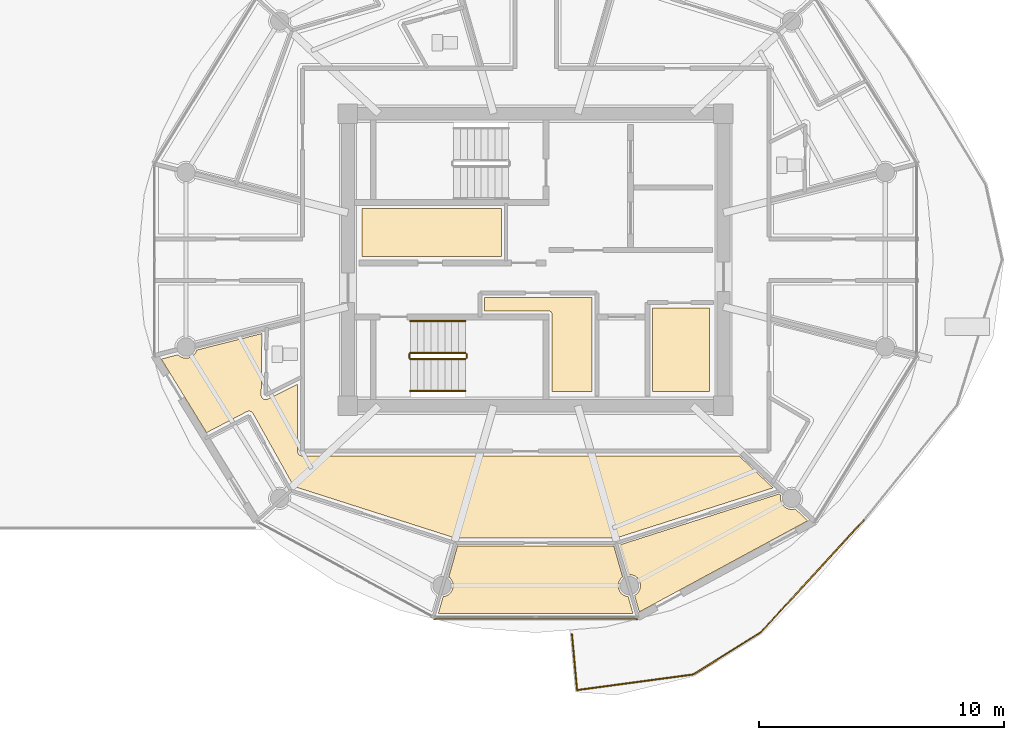
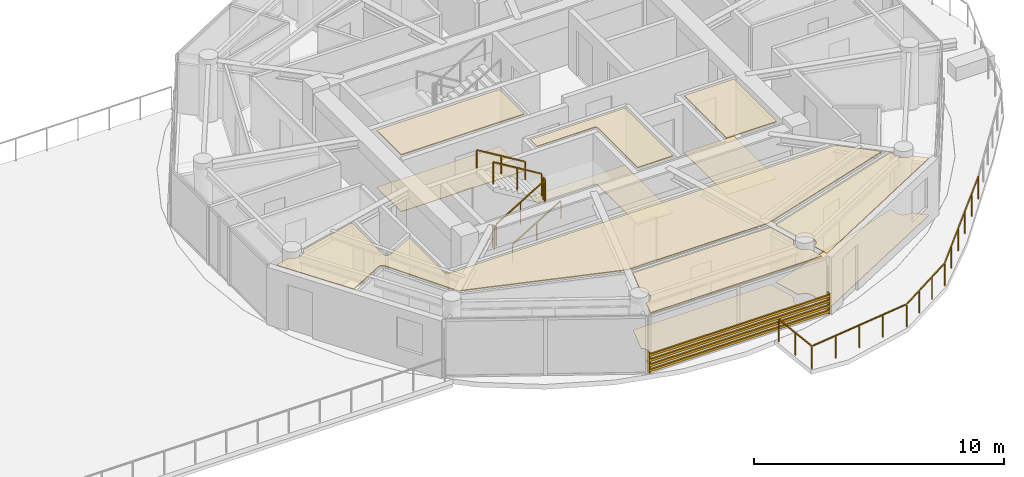
# One storey, part 25 of 30: 11 coverings, 7 railings, 1 shading device.
"""IFC4 building model written with IfcOpenShell, lengths in metres."""

from ifc_helpers import new_model, si_unit, direction, frame, origin, origin_2d, place, context, subcontext, project, spatial, polyline, rectangle, outline, extrude, source, transform, mapped, material, layer, layer_set, type_object, type_shapes, element, save


model = new_model("IFC4")

# Units and contexts
model_context = context("Model", 3, precision=1e-05, world=origin(), true_north=direction((0.0, 1.0)))
body_context = subcontext(model_context, "Body", "Model", "MODEL_VIEW")
ifc_project = project(units=[si_unit("LENGTHUNIT", "METRE"), si_unit("AREAUNIT", "SQUARE_METRE"), si_unit("VOLUMEUNIT", "CUBIC_METRE"), si_unit("PLANEANGLEUNIT", "RADIAN"), si_unit("MASSUNIT", "GRAM", prefix="KILO")], contexts=[model_context])

# Site, building, storey
site_placement = place(None, origin())
site = spatial("IfcSite", under=ifc_project, at=site_placement, CompositionType="ELEMENT")
building_placement = place(site_placement, origin())
building = spatial("IfcBuilding", under=site, at=building_placement, Name="Norrkilde Senior Care Towers", CompositionType="ELEMENT")
storey_placement = place(building_placement, frame((0.0, 0.0, 232.199951171875)))
storey = spatial("IfcBuildingStorey", under=building, at=storey_placement, Name="L72", CompositionType="ELEMENT", Elevation=232.199951171875)

# Coverings
ifc_material_1 = material(Name="Nordic Ash Timber", Category="wood")
ifc_layer_1 = layer(ifc_material_1, 0.044921875)
ifc_layer_set_1 = layer_set([ifc_layer_1], Name="Nordic Ash Timber")
covering_type_1 = type_object("IfcCoveringType", Name="Acoustic Ash Timber Slatted Ceiling 45", PredefinedType="CEILING", material=ifc_layer_set_1)
covering_1_placement = place(storey_placement, frame((0.0, 0.0, 2.76513671875)))
element("IfcCovering", 1, at=covering_1_placement, inside=storey, type_object=covering_type_1, Name="L72 Suspended Ceiling 0443", PredefinedType="CEILING", context=body_context, shape_type="SweptSolid", body=[
    extrude(outline(polyline([(20.919921875, 0.1201171875), (20.919921875, 2.090087890625), (26.60009765625, 2.090087890625), (26.60009765625, 0.1201171875), (20.919921875, 0.1201171875)])), origin(), (0.0, 0.0, 1.0), 0.044921875),
])
covering_2_placement = place(storey_placement, frame((0.0, 0.0, 2.76513671875)))
element("IfcCovering", 2, at=covering_2_placement, inside=storey, type_object=covering_type_1, Name="L72 Suspended Ceiling 0444", PredefinedType="CEILING", context=body_context, shape_type="SweptSolid", body=[
    extrude(outline(polyline([(28.65478515625, -2.175048828125), (28.65087890625, -2.1640625), (28.645751953125, -2.1533203125), (28.639892578125, -2.143310546875), (28.6328125, -2.1337890625), (28.624755859375, -2.125244140625), (28.6162109375, -2.1171875), (28.606689453125, -2.110107421875), (28.5966796875, -2.104248046875), (28.5859375, -2.09912109375), (28.574951171875, -2.09521484375), (28.5634765625, -2.09228515625), (28.5517578125, -2.090576171875), (28.5400390625, -2.090087890625), (25.919921875, -2.090087890625), (25.919921875, -1.5400390625), (30.2900390625, -1.5400390625), (30.2900390625, -5.3798828125), (28.659912109375, -5.3798828125), (28.659912109375, -2.2099609375), (28.659423828125, -2.1982421875), (28.65771484375, -2.1865234375), (28.65478515625, -2.175048828125)])), origin(), (0.0, 0.0, 1.0), 0.044921875),
])
covering_3_placement = place(storey_placement, frame((0.0, 0.0, 2.76513671875)))
element("IfcCovering", 3, at=covering_3_placement, inside=storey, type_object=covering_type_1, Name="L72 Suspended Ceiling 0445", PredefinedType="CEILING", context=body_context, shape_type="SweptSolid", body=[
    extrude(outline(polyline([(32.77001953125, -5.3798828125), (32.77001953125, -1.969970703125), (35.080078125, -1.969970703125), (35.080078125, -5.3798828125), (32.77001953125, -5.3798828125)])), origin(), (0.0, 0.0, 1.0), 0.044921875),
])
covering_4_placement = place(storey_placement, frame((0.0, 0.0, 2.76513671875)))
element("IfcCovering", 4, at=covering_4_placement, inside=storey, type_object=covering_type_1, Name="L72 Suspended Ceiling 0458", PredefinedType="CEILING", context=body_context, shape_type="SweptSolid", body=[
    extrude(outline(polyline([(16.817626953125, -5.54150390625), (16.819580078125, -5.552978515625), (16.8212890625, -5.5595703125), (16.824462890625, -5.57080078125), (16.82666015625, -5.577392578125), (16.8310546875, -5.588134765625), (16.833740234375, -5.594482421875), (16.839111328125, -5.604736328125), (16.842529296875, -5.610595703125), (16.848876953125, -5.62060546875), (16.85302734375, -5.6259765625), (16.860107421875, -5.63525390625), (16.86474609375, -5.640380859375), (16.872802734375, -5.648681640625), (16.877685546875, -5.653564453125), (16.88671875, -5.6611328125), (16.89208984375, -5.665283203125), (16.901611328125, -5.671875), (16.907470703125, -5.675537109375), (16.917724609375, -5.68115234375), (16.923828125, -5.684326171875), (16.9345703125, -5.68896484375), (16.94091796875, -5.69140625), (16.951904296875, -5.695068359375), (16.95849609375, -5.69677734375), (16.969970703125, -5.69921875), (16.976806640625, -5.700439453125), (16.98828125, -5.701904296875), (16.9951171875, -5.702392578125), (17.0068359375, -5.70263671875), (17.013671875, -5.702392578125), (17.025390625, -5.70166015625), (17.031982421875, -5.70068359375), (17.043701171875, -5.69873046875), (17.05029296875, -5.697265625), (17.0615234375, -5.694091796875), (17.068115234375, -5.69189453125), (17.078857421875, -5.687744140625), (17.085205078125, -5.68505859375), (17.090576171875, -5.6826171875), (18.300048828125, -5.076171875), (18.300048828125, -7.800048828125), (18.300048828125, -7.805908203125), (18.300537109375, -7.813720703125), (18.3017578125, -7.825439453125), (18.302734375, -7.833251953125), (18.30517578125, -7.8447265625), (18.30712890625, -7.852294921875), (18.310546875, -7.86376953125), (18.31298828125, -7.87109375), (18.317626953125, -7.8818359375), (18.321044921875, -7.888916015625), (18.326416015625, -7.8994140625), (18.33056640625, -7.90625), (18.337158203125, -7.916015625), (18.341796875, -7.92236328125), (18.34912109375, -7.931396484375), (18.3544921875, -7.937255859375), (18.36279296875, -7.945556640625), (18.36865234375, -7.95068359375), (18.377685546875, -7.958251953125), (18.384033203125, -7.962890625), (18.393798828125, -7.969482421875), (18.400634765625, -7.973388671875), (18.410888671875, -7.97900390625), (18.41796875, -7.982421875), (18.428955078125, -7.98681640625), (18.436279296875, -7.989501953125), (18.447509765625, -7.992919921875), (18.455322265625, -7.994873046875), (18.466796875, -7.9970703125), (18.474609375, -7.998291015625), (18.486328125, -7.99951171875), (18.494140625, -7.999755859375), (18.5, -8.0), (36.294677734375, -8.0), (37.6689453125, -9.298095703125), (31.258544921875, -11.348876953125), (24.741455078125, -11.348876953125), (18.1455078125, -9.23876953125), (16.48388671875, -6.267333984375), (16.48095703125, -6.262451171875), (16.477294921875, -6.256591796875), (16.470703125, -6.2470703125), (16.466796875, -6.24169921875), (16.459228515625, -6.23291015625), (16.45458984375, -6.22802734375), (16.4462890625, -6.219970703125), (16.441162109375, -6.215576171875), (16.432373046875, -6.208251953125), (16.4267578125, -6.204345703125), (16.4169921875, -6.197998046875), (16.411376953125, -6.194580078125), (16.401123046875, -6.189208984375), (16.39501953125, -6.186279296875), (16.38427734375, -6.18212890625), (16.3779296875, -6.1796875), (16.36669921875, -6.176513671875), (16.360107421875, -6.1748046875), (16.348876953125, -6.172607421875), (16.34228515625, -6.171630859375), (16.330810546875, -6.17041015625), (16.323974609375, -6.170166015625), (16.3125, -6.170166015625), (16.3056640625, -6.17041015625), (16.294189453125, -6.171630859375), (16.287353515625, -6.172607421875), (16.276123046875, -6.1748046875), (16.26953125, -6.176513671875), (16.258544921875, -6.1796875), (16.252197265625, -6.181884765625), (16.241455078125, -6.186279296875), (16.2353515625, -6.189208984375), (16.22998046875, -6.191650390625), (14.59033203125, -7.0478515625), (12.74267578125, -4.04736328125), (13.426025390625, -3.874267578125), (13.430908203125, -3.880615234375), (13.525146484375, -3.952880859375), (13.634765625, -3.998291015625), (13.752685546875, -4.013671875), (13.870361328125, -3.998291015625), (13.97998046875, -3.952880859375), (14.07421875, -3.880615234375), (14.146728515625, -3.786376953125), (14.190185546875, -3.680908203125), (16.84521484375, -3.0087890625), (16.8154296875, -5.510498046875), (16.8154296875, -5.516357421875), (16.815673828125, -5.523193359375), (16.816650390625, -5.53466796875), (16.817626953125, -5.54150390625)])), origin(), (0.0, 0.0, 1.0), 0.044921875),
])
covering_5_placement = place(storey_placement, frame((0.0, 0.0, 2.76513671875)))
element("IfcCovering", 5, at=covering_5_placement, inside=storey, type_object=covering_type_1, Name="L72 Suspended Ceiling 0461", PredefinedType="CEILING", context=body_context, shape_type="SweptSolid", body=[
    extrude(outline(polyline([(24.229736328125, -13.730224609375), (24.30029296875, -13.720947265625), (24.409912109375, -13.675537109375), (24.504150390625, -13.603271484375), (24.576416015625, -13.509033203125), (24.621826171875, -13.399169921875), (24.637451171875, -13.281494140625), (24.621826171875, -13.163818359375), (24.576416015625, -13.053955078125), (24.504150390625, -12.959716796875), (24.458251953125, -12.924560546875), (24.8173828125, -11.658935546875), (31.1826171875, -11.658935546875), (31.541748046875, -12.924560546875), (31.495849609375, -12.959716796875), (31.423583984375, -13.053955078125), (31.378173828125, -13.163818359375), (31.362548828125, -13.281494140625), (31.378173828125, -13.399169921875), (31.423583984375, -13.509033203125), (31.495849609375, -13.603271484375), (31.590087890625, -13.675537109375), (31.69970703125, -13.720947265625), (31.770263671875, -13.730224609375), (31.96240234375, -14.407470703125), (24.03759765625, -14.407470703125), (24.229736328125, -13.730224609375)])), origin(), (0.0, 0.0, 1.0), 0.044921875),
])
covering_6_placement = place(storey_placement, frame((0.0, 0.0, 2.76513671875)))
element("IfcCovering", 6, at=covering_6_placement, inside=storey, type_object=covering_type_1, Name="L72 Suspended Ceiling 0462", PredefinedType="CEILING", context=body_context, shape_type="SweptSolid", body=[
    extrude(outline(polyline([(32.223876953125, -14.351806640625), (32.028564453125, -13.682373046875), (32.045166015625, -13.675537109375), (32.139404296875, -13.603271484375), (32.211669921875, -13.509033203125), (32.257080078125, -13.399169921875), (32.2724609375, -13.281494140625), (32.257080078125, -13.163818359375), (32.211669921875, -13.053955078125), (32.139404296875, -12.959716796875), (32.045166015625, -12.887451171875), (31.935302734375, -12.842041015625), (31.817626953125, -12.826416015625), (31.780517578125, -12.831298828125), (31.427490234375, -11.620361328125), (37.926513671875, -9.541259765625), (37.9912109375, -9.6025390625), (37.990234375, -9.60498046875), (37.974853515625, -9.72265625), (37.990234375, -9.840576171875), (38.035888671875, -9.9501953125), (38.108154296875, -10.04443359375), (38.202392578125, -10.11669921875), (38.31201171875, -10.162109375), (38.429931640625, -10.177734375), (38.547607421875, -10.162109375), (38.57275390625, -10.15185546875), (39.08642578125, -10.636962890625), (32.223876953125, -14.351806640625)])), origin(), (0.0, 0.0, 1.0), 0.044921875),
])
ifc_material_2 = material(Name="Slip-Resistant Porcelain Stone", Category="masonry")
ifc_layer_2 = layer(ifc_material_2, 0.02490234375)
ifc_layer_set_2 = layer_set([ifc_layer_2], Name="Slip-Resistant Porcelain Stone")
covering_type_2 = type_object("IfcCoveringType", Name="Slip-Resistant Porcelain Flooring 25", PredefinedType="FLOORING", material=ifc_layer_set_2)
covering_7_placement = place(storey_placement, origin())
element("IfcCovering", 7, at=covering_7_placement, inside=storey, type_object=covering_type_2, Name="L72 Floor Finish 0443", PredefinedType="FLOORING", context=body_context, shape_type="SweptSolid", body=[
    extrude(outline(polyline([(20.919921875, 0.1201171875), (20.919921875, 2.090087890625), (26.60009765625, 2.090087890625), (26.60009765625, 0.1201171875), (20.919921875, 0.1201171875)])), origin(), (0.0, 0.0, 1.0), 0.025146484375),
])
covering_8_placement = place(storey_placement, origin())
element("IfcCovering", 8, at=covering_8_placement, inside=storey, type_object=covering_type_2, Name="L72 Floor Finish 0444", PredefinedType="FLOORING", context=body_context, shape_type="SweptSolid", body=[
    extrude(outline(polyline([(28.65478515625, -2.175048828125), (28.65087890625, -2.1640625), (28.645751953125, -2.1533203125), (28.639892578125, -2.143310546875), (28.6328125, -2.1337890625), (28.624755859375, -2.125244140625), (28.6162109375, -2.1171875), (28.606689453125, -2.110107421875), (28.5966796875, -2.104248046875), (28.5859375, -2.09912109375), (28.574951171875, -2.09521484375), (28.5634765625, -2.09228515625), (28.5517578125, -2.090576171875), (28.5400390625, -2.090087890625), (25.919921875, -2.090087890625), (25.919921875, -1.5400390625), (30.2900390625, -1.5400390625), (30.2900390625, -5.3798828125), (28.659912109375, -5.3798828125), (28.659912109375, -2.2099609375), (28.659423828125, -2.1982421875), (28.65771484375, -2.1865234375), (28.65478515625, -2.175048828125)])), origin(), (0.0, 0.0, 1.0), 0.025146484375),
])
covering_9_placement = place(storey_placement, origin())
element("IfcCovering", 9, at=covering_9_placement, inside=storey, type_object=covering_type_2, Name="L72 Floor Finish 0445", PredefinedType="FLOORING", context=body_context, shape_type="SweptSolid", body=[
    extrude(outline(polyline([(32.77001953125, -5.3798828125), (32.77001953125, -1.969970703125), (35.080078125, -1.969970703125), (35.080078125, -5.3798828125), (32.77001953125, -5.3798828125)])), origin(), (0.0, 0.0, 1.0), 0.025146484375),
])
covering_10_placement = place(storey_placement, origin())
element("IfcCovering", 10, at=covering_10_placement, inside=storey, type_object=covering_type_2, Name="L72 Floor Finish 0461", PredefinedType="FLOORING", context=body_context, shape_type="SweptSolid", body=[
    extrude(outline(polyline([(24.229736328125, -13.730224609375), (24.30029296875, -13.720947265625), (24.409912109375, -13.675537109375), (24.504150390625, -13.603271484375), (24.576416015625, -13.509033203125), (24.621826171875, -13.399169921875), (24.637451171875, -13.281494140625), (24.621826171875, -13.163818359375), (24.576416015625, -13.053955078125), (24.504150390625, -12.959716796875), (24.458251953125, -12.924560546875), (24.8173828125, -11.658935546875), (31.1826171875, -11.658935546875), (31.541748046875, -12.924560546875), (31.495849609375, -12.959716796875), (31.423583984375, -13.053955078125), (31.378173828125, -13.163818359375), (31.362548828125, -13.281494140625), (31.378173828125, -13.399169921875), (31.423583984375, -13.509033203125), (31.495849609375, -13.603271484375), (31.590087890625, -13.675537109375), (31.69970703125, -13.720947265625), (31.770263671875, -13.730224609375), (31.96240234375, -14.407470703125), (24.03759765625, -14.407470703125), (24.229736328125, -13.730224609375)])), origin(), (0.0, 0.0, 1.0), 0.025146484375),
])
covering_11_placement = place(storey_placement, origin())
element("IfcCovering", 11, at=covering_11_placement, inside=storey, type_object=covering_type_2, Name="L72 Floor Finish 0462", PredefinedType="FLOORING", context=body_context, shape_type="SweptSolid", body=[
    extrude(outline(polyline([(32.223876953125, -14.351806640625), (32.028564453125, -13.682373046875), (32.045166015625, -13.675537109375), (32.139404296875, -13.603271484375), (32.211669921875, -13.509033203125), (32.257080078125, -13.399169921875), (32.2724609375, -13.281494140625), (32.257080078125, -13.163818359375), (32.211669921875, -13.053955078125), (32.139404296875, -12.959716796875), (32.045166015625, -12.887451171875), (31.935302734375, -12.842041015625), (31.817626953125, -12.826416015625), (31.780517578125, -12.831298828125), (31.427490234375, -11.620361328125), (37.926513671875, -9.541259765625), (37.9912109375, -9.6025390625), (37.990234375, -9.60498046875), (37.974853515625, -9.72265625), (37.990234375, -9.840576171875), (38.035888671875, -9.9501953125), (38.108154296875, -10.04443359375), (38.202392578125, -10.11669921875), (38.31201171875, -10.162109375), (38.429931640625, -10.177734375), (38.547607421875, -10.162109375), (38.57275390625, -10.15185546875), (39.08642578125, -10.636962890625), (32.223876953125, -14.351806640625)])), origin(), (0.0, 0.0, 1.0), 0.025146484375),
])

# Railings
ifc_material_3 = material(Name="Stainless Steel", Category="steel")
railing_type_1 = type_object("IfcRailingType", Name="Stair and Terrace Guardrail 1100", PredefinedType="GUARDRAIL", material=ifc_material_3)
railing_1_placement = place(storey_placement, frame((41.36083984375, -10.62353515625, 0.0)))
element("IfcRailing", 12, at=railing_1_placement, inside=storey, type_object=railing_type_1, Name="L72 Perimeter Safety Guard 01", PredefinedType="GUARDRAIL", context=body_context, shape_type="SweptSolid", body=[
    extrude(rectangle(XDim=0.048095703125, YDim=0.048095703125, at=origin_2d()), frame((0.0, 0.0, 1.09619140625), z_axis=(-0.676456989789, -0.736482138932, 0.0), x_axis=(0.736482138932, -0.676456989789, 0.0)), (0.0, 0.0, 1.0), 6.1455078125),
    extrude(rectangle(XDim=0.048095703125, YDim=0.048095703125, at=origin_2d()), frame((-4.219482421875, -4.577880859375, 1.09619140625), z_axis=(-0.84763847201, -0.530574236811, 0.0), x_axis=(0.530574236811, -0.84763847201, 0.0)), (0.0, 0.0, 1.0), 3.159912109375),
    extrude(rectangle(XDim=0.048095703125, YDim=0.048095703125, at=origin_2d()), frame((-6.97314453125, -6.281494140625, 1.09619140625), z_axis=(-0.991082448651, -0.133250065573, 0.0), x_axis=(0.133250065573, -0.991082448651, 0.0)), (0.0, 0.0, 1.0), 4.7021484375),
    extrude(rectangle(XDim=0.048095703125, YDim=0.048095703125, at=origin_2d()), frame((-11.677490234375, -6.872802734375, 1.09619140625), z_axis=(-0.091257488424, 0.995827329815, 0.0), x_axis=(-0.995827329815, -0.091257488424, 0.0)), (0.0, 0.0, 1.0), 2.24658203125),
    extrude(rectangle(XDim=0.0419921875, YDim=0.0419921875, at=origin_2d()), origin(), (0.0, 0.0, 1.0), 1.070068359375),
    extrude(rectangle(XDim=0.0419921875, YDim=0.0419921875, at=origin_2d()), frame((-0.8369140625, -0.9111328125, 0.0)), (0.0, 0.0, 1.0), 1.070068359375),
    extrude(rectangle(XDim=0.0419921875, YDim=0.0419921875, at=origin_2d()), frame((-1.673828125, -1.822509765625, 0.0)), (0.0, 0.0, 1.0), 1.070068359375),
    extrude(rectangle(XDim=0.0419921875, YDim=0.0419921875, at=origin_2d()), frame((-2.510986328125, -2.733642578125, 0.0)), (0.0, 0.0, 1.0), 1.070068359375),
    extrude(rectangle(XDim=0.0419921875, YDim=0.0419921875, at=origin_2d()), frame((-3.347900390625, -3.64501953125, 0.0)), (0.0, 0.0, 1.0), 1.070068359375),
    extrude(rectangle(XDim=0.0419921875, YDim=0.0419921875, at=origin_2d()), frame((-4.184814453125, -4.55615234375, 0.0)), (0.0, 0.0, 1.0), 1.070068359375),
    extrude(rectangle(XDim=0.0419921875, YDim=0.0419921875, at=origin_2d()), frame((-5.100830078125, -5.12939453125, 0.0)), (0.0, 0.0, 1.0), 1.070068359375),
    extrude(rectangle(XDim=0.0419921875, YDim=0.0419921875, at=origin_2d()), frame((-6.0166015625, -5.702880859375, 0.0)), (0.0, 0.0, 1.0), 1.070068359375),
    extrude(rectangle(XDim=0.0419921875, YDim=0.0419921875, at=origin_2d()), frame((-6.9326171875, -6.276123046875, 0.0)), (0.0, 0.0, 1.0), 1.070068359375),
    extrude(rectangle(XDim=0.0419921875, YDim=0.0419921875, at=origin_2d()), frame((-8.117919921875, -6.435546875, 0.0)), (0.0, 0.0, 1.0), 1.070068359375),
    extrude(rectangle(XDim=0.0419921875, YDim=0.0419921875, at=origin_2d()), frame((-9.30322265625, -6.5947265625, 0.0)), (0.0, 0.0, 1.0), 1.070068359375),
    extrude(rectangle(XDim=0.0419921875, YDim=0.0419921875, at=origin_2d()), frame((-10.488525390625, -6.754150390625, 0.0)), (0.0, 0.0, 1.0), 1.070068359375),
    extrude(rectangle(XDim=0.0419921875, YDim=0.0419921875, at=origin_2d()), frame((-11.673828125, -6.91357421875, 0.0)), (0.0, 0.0, 1.0), 1.070068359375),
    extrude(rectangle(XDim=0.0419921875, YDim=0.0419921875, at=origin_2d()), frame((-11.7783203125, -5.774658203125, 0.0)), (0.0, 0.0, 1.0), 1.070068359375),
    extrude(rectangle(XDim=0.0419921875, YDim=0.0419921875, at=origin_2d()), frame((-11.882568359375, -4.6357421875, 0.0)), (0.0, 0.0, 1.0), 1.070068359375),
])
railing_2_placement = place(storey_placement, frame((22.89990234375, -4.050048828125, 0.16943359375)))
element("IfcRailing", 13, at=railing_2_placement, inside=storey, type_object=railing_type_1, Name="L72 ST-E2 stair guard 1", PredefinedType="GUARDRAIL", context=body_context, shape_type="SweptSolid", body=[
    extrude(rectangle(XDim=0.048095703125, YDim=0.048095703125, at=origin_2d()), frame((0.0, 0.0, 1.076171875), z_axis=(0.855512035549, 0.0, 0.517782924622), x_axis=(0.0, 1.0, 0.0)), (0.0, 0.0, 1.0), 2.618408203125),
    extrude(rectangle(XDim=0.0419921875, YDim=0.0419921875, at=origin_2d()), origin(), (0.0, 0.0, 1.0), 1.050048828125),
    extrude(rectangle(XDim=0.0419921875, YDim=0.0419921875, at=origin_2d()), frame((1.1201171875, 0.0, 0.677734375)), (0.0, 0.0, 1.0), 1.050048828125),
    extrude(rectangle(XDim=0.0419921875, YDim=0.0419921875, at=origin_2d()), frame((2.239990234375, 0.0, 1.355712890625)), (0.0, 0.0, 1.0), 1.050048828125),
])
railing_3_placement = place(storey_placement, frame((25.18994140625, -4.0, 1.525146484375)))
element("IfcRailing", 14, at=railing_3_placement, inside=storey, type_object=railing_type_1, Name="L72 ST-E2 stair guard 2", PredefinedType="GUARDRAIL", context=body_context, shape_type="SweptSolid", body=[
    extrude(rectangle(XDim=0.048095703125, YDim=0.048095703125, at=origin_2d()), frame((0.0, 0.0, 1.076171875), z_axis=(0.0, 1.0, 0.0), x_axis=(-1.0, 0.0, 0.0)), (0.0, 0.0, 1.0), 0.14990234375),
    extrude(rectangle(XDim=0.0419921875, YDim=0.0419921875, at=origin_2d()), origin(), (0.0, 0.0, 1.0), 1.050048828125),
    extrude(rectangle(XDim=0.0419921875, YDim=0.0419921875, at=origin_2d()), frame((0.0, 0.14990234375, 0.0)), (0.0, 0.0, 1.0), 1.050048828125),
])
railing_4_placement = place(storey_placement, frame((25.139892578125, -3.800048828125, 1.694580078125)))
element("IfcRailing", 15, at=railing_4_placement, inside=storey, type_object=railing_type_1, Name="L72 ST-E2 stair guard 3", PredefinedType="GUARDRAIL", context=body_context, shape_type="SweptSolid", body=[
    extrude(rectangle(XDim=0.048095703125, YDim=0.048095703125, at=origin_2d()), frame((0.0, 0.0, 1.076171875), z_axis=(-0.855553338991, 0.0, 0.51771467445), x_axis=(0.0, -1.0, 0.0)), (0.0, 0.0, 1.0), 2.6181640625),
    extrude(rectangle(XDim=0.0419921875, YDim=0.0419921875, at=origin_2d()), origin(), (0.0, 0.0, 1.0), 1.050048828125),
    extrude(rectangle(XDim=0.0419921875, YDim=0.0419921875, at=origin_2d()), frame((-1.1201171875, 0.0, 0.677734375)), (0.0, 0.0, 1.0), 1.050048828125),
    extrude(rectangle(XDim=0.0419921875, YDim=0.0419921875, at=origin_2d()), frame((-2.239990234375, 0.0, 1.35546875)), (0.0, 0.0, 1.0), 1.050048828125),
])
railing_5_placement = place(storey_placement, frame((22.85009765625, -4.0, 0.0)))
element("IfcRailing", 16, at=railing_5_placement, inside=storey, type_object=railing_type_1, Name="L72 ST-E2 stair guard 4", PredefinedType="GUARDRAIL", context=body_context, shape_type="SweptSolid", body=[
    extrude(rectangle(XDim=0.048095703125, YDim=0.048095703125, at=origin_2d()), frame((0.0, 0.0, 1.076171875), z_axis=(0.0, 1.0, 0.0), x_axis=(-1.0, 0.0, 0.0)), (0.0, 0.0, 1.0), 0.14990234375),
    extrude(rectangle(XDim=0.0419921875, YDim=0.0419921875, at=origin_2d()), origin(), (0.0, 0.0, 1.0), 1.050048828125),
    extrude(rectangle(XDim=0.0419921875, YDim=0.0419921875, at=origin_2d()), frame((0.0, 0.14990234375, 0.0)), (0.0, 0.0, 1.0), 1.050048828125),
])
railing_type_2 = type_object("IfcRailingType", Name="Wall and Stair Handrail 900", PredefinedType="HANDRAIL", material=ifc_material_1)
railing_6_placement = place(storey_placement, frame((22.89990234375, -5.35009765625, 0.16943359375)))
element("IfcRailing", 17, at=railing_6_placement, inside=storey, type_object=railing_type_2, Name="L72 ST-E2 stair handrail 1", PredefinedType="HANDRAIL", context=body_context, shape_type="SweptSolid", body=[
    extrude(rectangle(XDim=0.048095703125, YDim=0.048095703125, at=origin_2d()), frame((0.0, 0.0, 0.8759765625), z_axis=(0.855512035549, 0.0, 0.517782924622), x_axis=(0.0, 1.0, 0.0)), (0.0, 0.0, 1.0), 2.618408203125),
    extrude(rectangle(XDim=0.0419921875, YDim=0.0419921875, at=origin_2d()), origin(), (0.0, 0.0, 1.0), 0.849853515625),
    extrude(rectangle(XDim=0.0419921875, YDim=0.0419921875, at=origin_2d()), frame((1.1201171875, 0.0, 0.677734375)), (0.0, 0.0, 1.0), 0.849853515625),
    extrude(rectangle(XDim=0.0419921875, YDim=0.0419921875, at=origin_2d()), frame((2.239990234375, 0.0, 1.355712890625)), (0.0, 0.0, 1.0), 0.849853515625),
])
railing_7_placement = place(storey_placement, frame((25.139892578125, -2.5, 1.694580078125)))
element("IfcRailing", 18, at=railing_7_placement, inside=storey, type_object=railing_type_2, Name="L72 ST-E2 stair handrail 2", PredefinedType="HANDRAIL", context=body_context, shape_type="SweptSolid", body=[
    extrude(rectangle(XDim=0.048095703125, YDim=0.048095703125, at=origin_2d()), frame((0.0, 0.0, 0.8759765625), z_axis=(-0.855553338991, 0.0, 0.51771467445), x_axis=(0.0, -1.0, 0.0)), (0.0, 0.0, 1.0), 2.6181640625),
    extrude(rectangle(XDim=0.0419921875, YDim=0.0419921875, at=origin_2d()), origin(), (0.0, 0.0, 1.0), 0.849853515625),
    extrude(rectangle(XDim=0.0419921875, YDim=0.0419921875, at=origin_2d()), frame((-1.1201171875, 0.0, 0.677734375)), (0.0, 0.0, 1.0), 0.849853515625),
    extrude(rectangle(XDim=0.0419921875, YDim=0.0419921875, at=origin_2d()), frame((-2.239990234375, 0.0, 1.35546875)), (0.0, 0.0, 1.0), 0.849853515625),
])

# Shading device
ifc_material_4 = material(Name="Architectural Terracotta", Category="masonry")
shading_device_type = type_object("IfcShadingDeviceType", Name="Horizontal Terracotta Baguette Rack", PredefinedType="USERDEFINED", material=ifc_material_4)
shared_shape = source(origin(), body_context, "Body", "SweptSolid", [
    extrude(rectangle(XDim=0.070068359375, YDim=0.110107421875, at=origin_2d()), frame((0.0, 0.090087890625, 0.125), z_axis=(1.0, 0.0, 0.0), x_axis=(0.0, 1.0, 0.0)), (0.0, 0.0, 1.0), 8.32373046875),
    extrude(rectangle(XDim=0.070068359375, YDim=0.110107421875, at=origin_2d()), frame((0.0, 0.090087890625, 0.375), z_axis=(1.0, 0.0, 0.0), x_axis=(0.0, 1.0, 0.0)), (0.0, 0.0, 1.0), 8.32373046875),
    extrude(rectangle(XDim=0.070068359375, YDim=0.110107421875, at=origin_2d()), frame((0.0, 0.090087890625, 0.625), z_axis=(1.0, 0.0, 0.0), x_axis=(0.0, 1.0, 0.0)), (0.0, 0.0, 1.0), 8.32373046875),
    extrude(rectangle(XDim=0.070068359375, YDim=0.110107421875, at=origin_2d()), frame((0.0, 0.090087890625, 0.875), z_axis=(1.0, 0.0, 0.0), x_axis=(0.0, 1.0, 0.0)), (0.0, 0.0, 1.0), 8.32373046875),
    extrude(rectangle(XDim=0.050048828125, YDim=0.1552734375, at=origin_2d()), frame((0.02490234375, 0.047607421875, 0.0)), (0.0, 0.0, 1.0), 1.0),
    extrude(rectangle(XDim=0.050048828125, YDim=0.1552734375, at=origin_2d()), frame((8.298828125, 0.047607421875, 0.0)), (0.0, 0.0, 1.0), 1.0),
])
type_shapes(shading_device_type, [shared_shape])
shading_device_placement = place(storey_placement, frame((32.161865234375, -14.566162109375, 0.080078125), z_axis=(0.0, 0.0, 1.0), x_axis=(-1.0, 0.0, 0.0)))
element("IfcShadingDevice", 19, at=shading_device_placement, inside=storey, type_object=shading_device_type, Name="L72 Drum E Terracotta Baguette Screen 08", ObjectType="BAGUETTE", PredefinedType="USERDEFINED", context=body_context, shape_type="MappedRepresentation", body=[
    mapped(shared_shape, transform((0.0, 0.0, 0.0), x_axis=(1.0, 0.0, 0.0), y_axis=(0.0, 1.0, 0.0), z_axis=(0.0, 0.0, 1.0), scale=1.0)),
])

save(model, "model.ifc")
